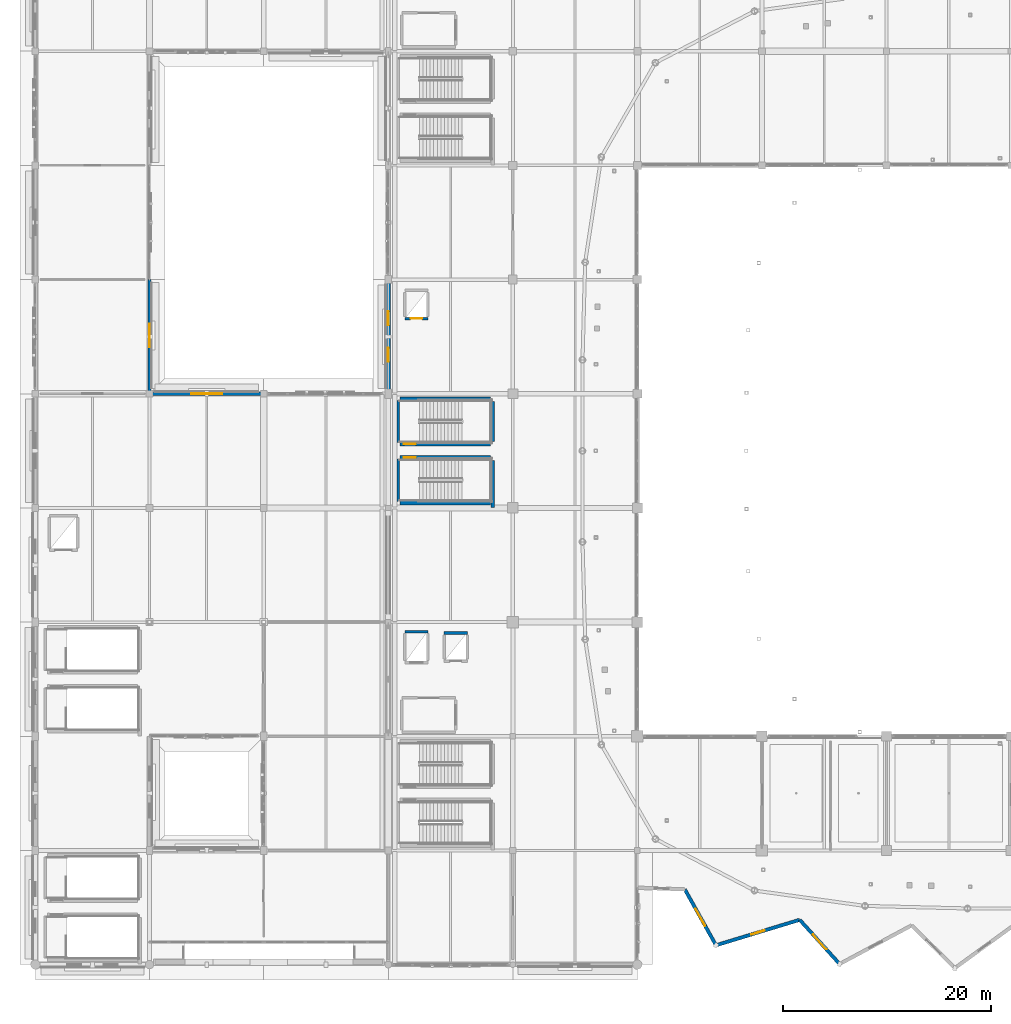
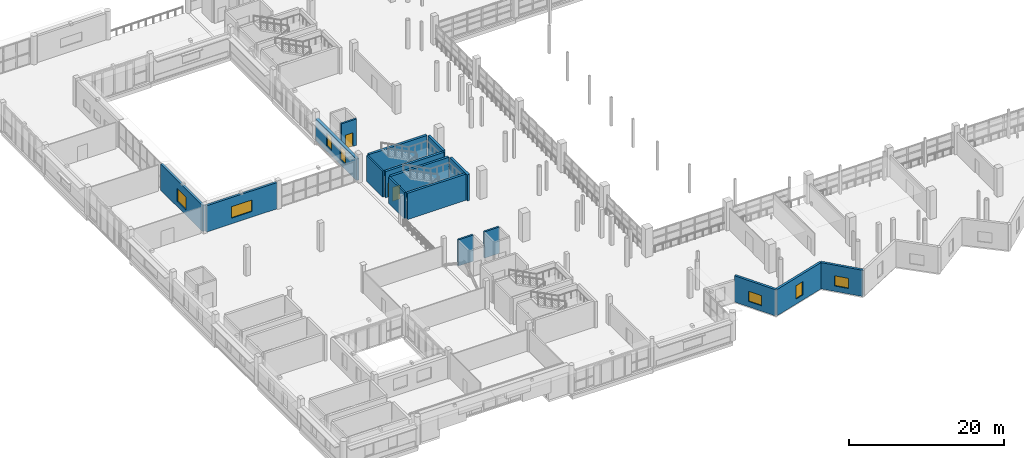
# One storey, part 81 of 118: 17 walls, 7 windows, 3 doors, 10 openings.
"""IFC4 building model written with IfcOpenShell, lengths in metres."""

from ifc_helpers import new_model, si_unit, direction, frame, frame_2d, origin, place, context, subcontext, project, spatial, rectangle, extrude, material, layer, layer_set, type_object, element, fill, save


model = new_model("IFC4")

# Units and contexts
model_context = context("Model", 3, precision=1e-05, world=origin(), true_north=direction((0.0, 1.0)))
body_context = subcontext(model_context, "Body", "Model", "MODEL_VIEW")
ifc_project = project(units=[si_unit("LENGTHUNIT", "METRE"), si_unit("AREAUNIT", "SQUARE_METRE"), si_unit("VOLUMEUNIT", "CUBIC_METRE"), si_unit("PLANEANGLEUNIT", "RADIAN"), si_unit("MASSUNIT", "GRAM", prefix="KILO")], contexts=[model_context])

# Site, building, storey
site_placement = place(None, origin())
site = spatial("IfcSite", under=ifc_project, at=site_placement, CompositionType="ELEMENT")
building_placement = place(site_placement, origin())
building = spatial("IfcBuilding", under=site, at=building_placement, Name="Luwafu Chhajja Arena", CompositionType="ELEMENT")
storey_placement = place(building_placement, frame((0.0, 0.0, 10.199951171875)))
storey = spatial("IfcBuildingStorey", under=building, at=storey_placement, Name="L02", CompositionType="ELEMENT", Elevation=10.199951171875)

# Walls
ifc_material_1 = material(Name="Concrete C35/45", Category="concrete")
ifc_layer_1 = layer(ifc_material_1, 0.260009765625, Name="Concrete C35/45")
ifc_layer_set_1 = layer_set([ifc_layer_1], Name="Concrete C35/45")
wall_type_1 = type_object("IfcWallType", Name="Lift and Riser Shaft Wall 260", PredefinedType="SOLIDWALL", material=ifc_layer_set_1)
wall_1_placement = place(storey_placement, frame((35.590087890625, 32.0849609375, 0.0), z_axis=(0.0, 0.0, 1.0), x_axis=(1.0, 0.0, 0.0)))
element("IfcWall", 1, at=wall_1_placement, inside=storey, type_object=wall_type_1, Name="L02 Lift LF-01 Shaft Wall N", PredefinedType="SOLIDWALL", context=body_context, shape_type="SweptSolid", body=[
    extrude(rectangle(XDim=2.219970703125, YDim=0.260009765625, at=frame_2d((1.10986328125, 0.0))), origin(), (0.0, 0.0, 1.0), 4.14013671875),
])
wall_2_placement = place(storey_placement, frame((39.389892578125, 31.9599609375, 0.0), z_axis=(0.0, 0.0, 1.0), x_axis=(1.0, 0.0, 0.0)))
element("IfcWall", 2, at=wall_2_placement, inside=storey, type_object=wall_type_1, Name="L02 Lift LF-05 Shaft Wall N", PredefinedType="SOLIDWALL", context=body_context, shape_type="SweptSolid", body=[
    extrude(rectangle(XDim=2.22021484375, YDim=0.260009765625, at=frame_2d((1.110107421875, 0.0))), origin(), (0.0, 0.0, 1.0), 4.14013671875),
])

# Wall, opening, door
wall_3_placement = place(storey_placement, frame((35.590087890625, 62.239990234375, 0.0), z_axis=(0.0, 0.0, 1.0), x_axis=(1.0, 0.0, 0.0)))
wall_3 = element("IfcWall", 3, at=wall_3_placement, inside=storey, type_object=wall_type_1, Name="L02 Lift LF-09 Shaft Wall S", PredefinedType="SOLIDWALL", context=body_context, shape_type="SweptSolid", body=[
    extrude(rectangle(XDim=2.219970703125, YDim=0.260009765625, at=frame_2d((1.10986328125, 0.0))), origin(), (0.0, 0.0, 1.0), 4.14013671875),
])
opening_1_placement = place(wall_3_placement, frame((0.56005859375, 0.0, 0.0)))
opening_1 = element("IfcOpeningElement", 4, at=opening_1_placement, cuts=wall_3, Name="Opening LD-01", PredefinedType="OPENING", context=body_context, shape_type="SweptSolid", body=[
    extrude(rectangle(XDim=1.10009765625, YDim=2.14990234375, at=frame_2d((0.550048828125, 1.074951171875))), frame((0.0, 0.139892578125, 0.0), z_axis=(0.0, -1.0, 0.0), x_axis=(1.0, 0.0, 0.0)), (0.0, 0.0, 1.0), 0.280029296875),
])
ifc_material_2 = material(Name="Brushed stainless steel sliding leaves", Category="steel")
door_type_1 = type_object("IfcDoorType", Name="LD-01", OperationType="SLIDING_TO_LEFT", PredefinedType="DOOR", material=ifc_material_2)
door_1_placement = place(opening_1_placement, origin())
door_1 = element("IfcDoor", 5, at=door_1_placement, inside=storey, type_object=door_type_1, Name="L02 Lift LF-09 Landing Door L02-LD09", OperationType="SLIDING_TO_LEFT", OverallHeight=2.14990234375, OverallWidth=1.10009765625, PredefinedType="DOOR", context=body_context, shape_type="SweptSolid", body=[
    extrude(rectangle(XDim=1.10009765625, YDim=2.14990234375, at=frame_2d((0.550048828125, 1.074951171875))), frame((0.0, 0.02490234375, 0.0), z_axis=(0.0, -1.0, 0.0), x_axis=(1.0, 0.0, 0.0)), (0.0, 0.0, 1.0), 0.050048828125),
])
fill(opening_1, door_1)

# Wall, opening, window
ifc_material_3 = material(Name="Precast concrete C40/50", Category="concrete")
ifc_layer_2 = layer(ifc_material_3, 0.340087890625, Name="Precast concrete C40/50")
ifc_layer_set_2 = layer_set([ifc_layer_2], Name="Precast concrete C40/50")
wall_type_2 = type_object("IfcWallType", Name="Pleated Bowl V-Fold Wall 340", PredefinedType="USERDEFINED", material=ifc_layer_set_2)
wall_4_placement = place(storey_placement, frame((62.57421875, 7.23681640625, 0.0), z_axis=(0.0, 0.0, 1.0), x_axis=(0.487306352228, -0.87323108, 0.0)))
wall_4 = element("IfcWall", 6, at=wall_4_placement, inside=storey, type_object=wall_type_2, Name="L02 Pleated Bowl V-Fold Wall 42", ObjectType="PLEATED FACADE WALL", PredefinedType="USERDEFINED", context=body_context, shape_type="SweptSolid", body=[
    extrude(rectangle(XDim=6.15283203125, YDim=0.340087890625, at=frame_2d((3.076416015625, 0.0))), origin(), (0.0, 0.0, 1.0), 4.135009765625),
])
opening_2_placement = place(wall_4_placement, frame((2.12646484375, 0.0, 0.85009765625)))
opening_2 = element("IfcOpeningElement", 7, at=opening_2_placement, cuts=wall_4, Name="Opening WN-15", PredefinedType="OPENING", context=body_context, shape_type="SweptSolid", body=[
    extrude(rectangle(XDim=1.89990234375, YDim=1.60009765625, at=frame_2d((0.949951171875, 0.800048828125))), frame((0.0, 0.179931640625, 0.0), z_axis=(0.0, -1.0, 0.0), x_axis=(1.0, 0.0, 0.0)), (0.0, 0.0, 1.0), 0.360107421875),
])
ifc_material_4 = material(Name="Solar-control laminated glass", Category="glass")
window_type_1 = type_object("IfcWindowType", Name="Pleated Drum Inward-Fold Clerestory 1900x1600", PartitioningType="SINGLE_PANEL", PredefinedType="WINDOW", material=ifc_material_4)
window_1_placement = place(opening_2_placement, origin())
window_1 = element("IfcWindow", 8, at=window_1_placement, inside=storey, type_object=window_type_1, Name="L02 Pleated Bowl Lancet Window 020", OverallHeight=1.60009765625, OverallWidth=1.89990234375, PartitioningType="SINGLE_PANEL", PredefinedType="WINDOW", context=body_context, shape_type="SweptSolid", body=[
    extrude(rectangle(XDim=1.89990234375, YDim=1.60009765625, at=frame_2d((0.949951171875, 0.800048828125))), frame((0.0, 0.030029296875, 0.0), z_axis=(0.0, -1.0, 0.0), x_axis=(1.0, 0.0, 0.0)), (0.0, 0.0, 1.0), 0.06005859375),
])
fill(opening_2, window_1)

wall_5_placement = place(storey_placement, frame((65.572509765625, 1.864013671875, 0.0), z_axis=(0.0, 0.0, 1.0), x_axis=(0.956738407321, 0.290949514446, 0.0)))
wall_5 = element("IfcWall", 9, at=wall_5_placement, inside=storey, type_object=wall_type_2, Name="L02 Pleated Bowl V-Fold Wall 43", ObjectType="PLEATED FACADE WALL", PredefinedType="USERDEFINED", context=body_context, shape_type="SweptSolid", body=[
    extrude(rectangle(XDim=8.427978515625, YDim=0.340087890625, at=frame_2d((4.2138671875, 0.0))), origin(), (0.0, 0.0, 1.0), 4.135009765625),
])
opening_3_placement = place(wall_5_placement, frame((3.5390625, 0.0, 0.800048828125)))
opening_3 = element("IfcOpeningElement", 10, at=opening_3_placement, cuts=wall_5, Name="Opening WN-17", PredefinedType="OPENING", context=body_context, shape_type="SweptSolid", body=[
    extrude(rectangle(XDim=1.35009765625, YDim=2.10009765625, at=frame_2d((0.675048828125, 1.050048828125))), frame((0.0, 0.179931640625, 0.0), z_axis=(0.0, -1.0, 0.0), x_axis=(1.0, 0.0, 0.0)), (0.0, 0.0, 1.0), 0.360107421875),
])
window_type_2 = type_object("IfcWindowType", Name="Exhibition Mezzanine Lancet Window 1350x2100", PartitioningType="SINGLE_PANEL", PredefinedType="WINDOW", material=ifc_material_4)
window_2_placement = place(opening_3_placement, origin())
window_2 = element("IfcWindow", 11, at=window_2_placement, inside=storey, type_object=window_type_2, Name="L02 Pleated Bowl Lancet Window 021", OverallHeight=2.10009765625, OverallWidth=1.35009765625, PartitioningType="SINGLE_PANEL", PredefinedType="WINDOW", context=body_context, shape_type="SweptSolid", body=[
    extrude(rectangle(XDim=1.35009765625, YDim=2.10009765625, at=frame_2d((0.675048828125, 1.050048828125))), frame((0.0, 0.030029296875, 0.0), z_axis=(0.0, -1.0, 0.0), x_axis=(1.0, 0.0, 0.0)), (0.0, 0.0, 1.0), 0.06005859375),
])
fill(opening_3, window_2)

wall_6_placement = place(storey_placement, frame((73.635986328125, 4.316162109375, 0.0), z_axis=(0.0, 0.0, 1.0), x_axis=(0.670348131104, -0.742046752654, 0.0)))
wall_6 = element("IfcWall", 12, at=wall_6_placement, inside=storey, type_object=wall_type_2, Name="L02 Pleated Bowl V-Fold Wall 44", ObjectType="PLEATED FACADE WALL", PredefinedType="USERDEFINED", context=body_context, shape_type="SweptSolid", body=[
    extrude(rectangle(XDim=5.747802734375, YDim=0.340087890625, at=frame_2d((2.8740234375, 0.0))), origin(), (0.0, 0.0, 1.0), 4.135009765625),
])
opening_4_placement = place(wall_6_placement, frame((1.923828125, 0.0, 0.85009765625)))
opening_4 = element("IfcOpeningElement", 13, at=opening_4_placement, cuts=wall_6, Name="Opening WN-15", PredefinedType="OPENING", context=body_context, shape_type="SweptSolid", body=[
    extrude(rectangle(XDim=1.89990234375, YDim=1.60009765625, at=frame_2d((0.949951171875, 0.800048828125))), frame((0.0, 0.179931640625, 0.0), z_axis=(0.0, -1.0, 0.0), x_axis=(1.0, 0.0, 0.0)), (0.0, 0.0, 1.0), 0.360107421875),
])
window_3_placement = place(opening_4_placement, origin())
window_3 = element("IfcWindow", 14, at=window_3_placement, inside=storey, type_object=window_type_1, Name="L02 Pleated Bowl Lancet Window 022", OverallHeight=1.60009765625, OverallWidth=1.89990234375, PartitioningType="SINGLE_PANEL", PredefinedType="WINDOW", context=body_context, shape_type="SweptSolid", body=[
    extrude(rectangle(XDim=1.89990234375, YDim=1.60009765625, at=frame_2d((0.949951171875, 0.800048828125))), frame((0.0, 0.030029296875, 0.0), z_axis=(0.0, -1.0, 0.0), x_axis=(1.0, 0.0, 0.0)), (0.0, 0.0, 1.0), 0.06005859375),
])
fill(opening_4, window_3)

# Walls
ifc_material_5 = material(Name="Concrete C40/50", Category="concrete")
ifc_layer_3 = layer(ifc_material_5, 0.35009765625, Name="Concrete C40/50")
ifc_layer_set_3 = layer_set([ifc_layer_3], Name="Concrete C40/50")
wall_type_3 = type_object("IfcWallType", Name="RC Core Shear Wall 350", PredefinedType="SOLIDWALL", material=ifc_layer_set_3)
wall_7_placement = place(storey_placement, frame((44.072021484375, 44.050048828125, 0.0), z_axis=(0.0, 0.0, 1.0), x_axis=(0.0, 1.0, 0.0)))
element("IfcWall", 15, at=wall_7_placement, inside=storey, type_object=wall_type_3, Name="L02 Stair ST-09 Core Shear Wall E", PredefinedType="SOLIDWALL", context=body_context, shape_type="SweptSolid", body=[
    extrude(rectangle(XDim=4.5400390625, YDim=0.35009765625, at=frame_2d((2.27001953125, 0.0))), origin(), (0.0, 0.0, 1.0), 4.14013671875),
])
wall_8_placement = place(storey_placement, frame((35.14990234375, 44.47802734375, 0.0), z_axis=(0.0, 0.0, 1.0), x_axis=(1.0, 0.0, 0.0)))
element("IfcWall", 16, at=wall_8_placement, inside=storey, type_object=wall_type_3, Name="L02 Stair ST-09 Core Shear Wall S", PredefinedType="SOLIDWALL", context=body_context, shape_type="SweptSolid", body=[
    extrude(rectangle(XDim=8.7001953125, YDim=0.35009765625, at=frame_2d((4.35009765625, 0.0))), origin(), (0.0, 0.0, 1.0), 4.14013671875),
])

# Wall, opening, door
wall_9_placement = place(storey_placement, frame((35.14990234375, 48.862060546875, 0.0), z_axis=(0.0, 0.0, 1.0), x_axis=(1.0, 0.0, 0.0)))
wall_9 = element("IfcWall", 17, at=wall_9_placement, inside=storey, type_object=wall_type_3, Name="L02 Stair ST-09 Core Shear Wall N", PredefinedType="SOLIDWALL", context=body_context, shape_type="SweptSolid", body=[
    extrude(rectangle(XDim=8.7001953125, YDim=0.35009765625, at=frame_2d((4.35009765625, 0.0))), origin(), (0.0, 0.0, 1.0), 4.14013671875),
])
opening_5_placement = place(wall_9_placement, frame((0.35009765625, 0.0, 0.0)))
opening_5 = element("IfcOpeningElement", 18, at=opening_5_placement, cuts=wall_9, Name="Opening DR-06", PredefinedType="OPENING", context=body_context, shape_type="SweptSolid", body=[
    extrude(rectangle(XDim=1.14990234375, YDim=2.199951171875, at=frame_2d((0.574951171875, 1.10009765625))), frame((0.0, 0.18505859375, 0.0), z_axis=(0.0, -1.0, 0.0), x_axis=(1.0, 0.0, 0.0)), (0.0, 0.0, 1.0), 0.3701171875),
])
ifc_material_6 = material(Name="Fire-rated hardwood and steel core", Category="steel")
door_type_2 = type_object("IfcDoorType", Name="DR-06", OperationType="NOTDEFINED", PredefinedType="DOOR", material=ifc_material_6)
door_2_placement = place(opening_5_placement, origin())
door_2 = element("IfcDoor", 19, at=door_2_placement, inside=storey, type_object=door_type_2, Name="L02 Escape Stair ST-09 Fire Door L02-D017", OperationType="SINGLE_SWING_RIGHT", OverallHeight=2.199951171875, OverallWidth=1.14990234375, PredefinedType="DOOR", context=body_context, shape_type="SweptSolid", body=[
    extrude(rectangle(XDim=1.14990234375, YDim=2.199951171875, at=frame_2d((0.574951171875, 1.10009765625))), frame((0.0, 0.02490234375, 0.0), z_axis=(0.0, -1.0, 0.0), x_axis=(1.0, 0.0, 0.0)), (0.0, 0.0, 1.0), 0.050048828125),
])
fill(opening_5, door_2)

# Wall
wall_10_placement = place(storey_placement, frame((44.072021484375, 50.409912109375, 0.0), z_axis=(0.0, 0.0, 1.0), x_axis=(0.0, 1.0, 0.0)))
element("IfcWall", 20, at=wall_10_placement, inside=storey, type_object=wall_type_3, Name="L02 Stair ST-10 Core Shear Wall E", PredefinedType="SOLIDWALL", context=body_context, shape_type="SweptSolid", body=[
    extrude(rectangle(XDim=3.840087890625, YDim=0.35009765625, at=frame_2d((1.919921875, 0.0))), origin(), (0.0, 0.0, 1.0), 4.14013671875),
])

# Wall, opening, door
wall_11_placement = place(storey_placement, frame((35.14990234375, 50.137939453125, 0.0), z_axis=(0.0, 0.0, 1.0), x_axis=(1.0, 0.0, 0.0)))
wall_11 = element("IfcWall", 21, at=wall_11_placement, inside=storey, type_object=wall_type_3, Name="L02 Stair ST-10 Core Shear Wall S", PredefinedType="SOLIDWALL", context=body_context, shape_type="SweptSolid", body=[
    extrude(rectangle(XDim=8.7001953125, YDim=0.35009765625, at=frame_2d((4.35009765625, 0.0))), origin(), (0.0, 0.0, 1.0), 4.14013671875),
])
opening_6_placement = place(wall_11_placement, frame((0.35009765625, 0.0, 0.0)))
opening_6 = element("IfcOpeningElement", 22, at=opening_6_placement, cuts=wall_11, Name="Opening DR-06", PredefinedType="OPENING", context=body_context, shape_type="SweptSolid", body=[
    extrude(rectangle(XDim=1.14990234375, YDim=2.199951171875, at=frame_2d((0.574951171875, 1.10009765625))), frame((0.0, 0.18505859375, 0.0), z_axis=(0.0, -1.0, 0.0), x_axis=(1.0, 0.0, 0.0)), (0.0, 0.0, 1.0), 0.3701171875),
])
door_3_placement = place(opening_6_placement, origin())
door_3 = element("IfcDoor", 23, at=door_3_placement, inside=storey, type_object=door_type_2, Name="L02 Escape Stair ST-10 Fire Door L02-D018", OperationType="SINGLE_SWING_LEFT", OverallHeight=2.199951171875, OverallWidth=1.14990234375, PredefinedType="DOOR", context=body_context, shape_type="SweptSolid", body=[
    extrude(rectangle(XDim=1.14990234375, YDim=2.199951171875, at=frame_2d((0.574951171875, 1.10009765625))), frame((0.0, 0.02490234375, 0.0), z_axis=(0.0, -1.0, 0.0), x_axis=(1.0, 0.0, 0.0)), (0.0, 0.0, 1.0), 0.050048828125),
])
fill(opening_6, door_3)

# Wall
wall_12_placement = place(storey_placement, frame((35.14990234375, 54.52197265625, 0.0), z_axis=(0.0, 0.0, 1.0), x_axis=(1.0, 0.0, 0.0)))
element("IfcWall", 24, at=wall_12_placement, inside=storey, type_object=wall_type_3, Name="L02 Stair ST-10 Core Shear Wall N", PredefinedType="SOLIDWALL", context=body_context, shape_type="SweptSolid", body=[
    extrude(rectangle(XDim=8.7001953125, YDim=0.35009765625, at=frame_2d((4.35009765625, 0.0))), origin(), (0.0, 0.0, 1.0), 4.14013671875),
])

# Wall, openings, windows
ifc_layer_4 = layer(ifc_material_5, 0.39990234375, Name="Concrete C40/50")
ifc_layer_set_4 = layer_set([ifc_layer_4], Name="Concrete C40/50")
wall_type_4 = type_object("IfcWallType", Name="RC Core Shear Wall 400", PredefinedType="SOLIDWALL", material=ifc_layer_set_4)
wall_13_placement = place(storey_placement, frame((34.0, 55.219970703125, 0.0), z_axis=(0.0, 0.0, 1.0), x_axis=(0.0, 1.0, 0.0)))
wall_13 = element("IfcWall", 25, at=wall_13_placement, inside=storey, type_object=wall_type_4, Name="L02 Exterior Wall WEX-L02-160", PredefinedType="SOLIDWALL", context=body_context, shape_type="SweptSolid", body=[
    extrude(rectangle(XDim=10.56005859375, YDim=0.39990234375, at=frame_2d((5.280029296875, 0.0))), origin(), (0.0, 0.0, 1.0), 3.39013671875),
])
opening_7_placement = place(wall_13_placement, frame((2.844970703125, 0.0, 0.800048828125)))
opening_7 = element("IfcOpeningElement", 26, at=opening_7_placement, cuts=wall_13, Name="Opening WN-17", PredefinedType="OPENING", context=body_context, shape_type="SweptSolid", body=[
    extrude(rectangle(XDim=1.35009765625, YDim=2.10009765625, at=frame_2d((0.675048828125, 1.050048828125))), frame((0.0, 0.2099609375, 0.0), z_axis=(0.0, -1.0, 0.0), x_axis=(1.0, 0.0, 0.0)), (0.0, 0.0, 1.0), 0.419921875),
])
opening_8_placement = place(wall_13_placement, frame((6.364990234375, 0.0, 0.800048828125)))
opening_8 = element("IfcOpeningElement", 27, at=opening_8_placement, cuts=wall_13, Name="Opening WN-17", PredefinedType="OPENING", context=body_context, shape_type="SweptSolid", body=[
    extrude(rectangle(XDim=1.35009765625, YDim=2.10009765625, at=frame_2d((0.675048828125, 1.050048828125))), frame((0.0, 0.2099609375, 0.0), z_axis=(0.0, -1.0, 0.0), x_axis=(1.0, 0.0, 0.0)), (0.0, 0.0, 1.0), 0.419921875),
])
window_4_placement = place(opening_7_placement, origin())
window_4 = element("IfcWindow", 28, at=window_4_placement, inside=storey, type_object=window_type_2, Name="L02 Facade Window 094", OverallHeight=2.10009765625, OverallWidth=1.35009765625, PartitioningType="SINGLE_PANEL", PredefinedType="WINDOW", context=body_context, shape_type="SweptSolid", body=[
    extrude(rectangle(XDim=1.35009765625, YDim=2.10009765625, at=frame_2d((0.675048828125, 1.050048828125))), frame((0.0, 0.030029296875, 0.0), z_axis=(0.0, -1.0, 0.0), x_axis=(1.0, 0.0, 0.0)), (0.0, 0.0, 1.0), 0.06005859375),
])
fill(opening_7, window_4)
window_5_placement = place(opening_8_placement, origin())
window_5 = element("IfcWindow", 29, at=window_5_placement, inside=storey, type_object=window_type_2, Name="L02 Facade Window 095", OverallHeight=2.10009765625, OverallWidth=1.35009765625, PartitioningType="SINGLE_PANEL", PredefinedType="WINDOW", context=body_context, shape_type="SweptSolid", body=[
    extrude(rectangle(XDim=1.35009765625, YDim=2.10009765625, at=frame_2d((0.675048828125, 1.050048828125))), frame((0.0, 0.030029296875, 0.0), z_axis=(0.0, -1.0, 0.0), x_axis=(1.0, 0.0, 0.0)), (0.0, 0.0, 1.0), 0.06005859375),
])
fill(opening_8, window_5)

# Wall, opening, window
ifc_layer_5 = layer(ifc_material_1, 0.320068359375, Name="Concrete C35/45")
ifc_layer_set_5 = layer_set([ifc_layer_5], Name="Concrete C35/45")
wall_type_5 = type_object("IfcWallType", Name="Sandstone Backed Exterior Wall 320", PredefinedType="SOLIDWALL", material=ifc_layer_set_5)
wall_14_placement = place(storey_placement, frame((11.0, 55.219970703125, 0.0), z_axis=(0.0, 0.0, 1.0), x_axis=(0.0, 1.0, 0.0)))
wall_14 = element("IfcWall", 30, at=wall_14_placement, inside=storey, type_object=wall_type_5, Name="L02 Exterior Wall WEX-L02-152", PredefinedType="SOLIDWALL", context=body_context, shape_type="SweptSolid", body=[
    extrude(rectangle(XDim=10.780029296875, YDim=0.320068359375, at=frame_2d((5.39013671875, 0.0))), origin(), (0.0, 0.0, 1.0), 4.14501953125),
])
opening_9_placement = place(wall_14_placement, frame((4.239990234375, 0.0, 0.85009765625)))
opening_9 = element("IfcOpeningElement", 31, at=opening_9_placement, cuts=wall_14, Name="Opening WN-19", PredefinedType="OPENING", context=body_context, shape_type="SweptSolid", body=[
    extrude(rectangle(XDim=2.300048828125, YDim=2.050048828125, at=frame_2d((1.14990234375, 1.02490234375))), frame((0.0, 0.169921875, 0.0), z_axis=(0.0, -1.0, 0.0), x_axis=(1.0, 0.0, 0.0)), (0.0, 0.0, 1.0), 0.340087890625),
])
window_type_3 = type_object("IfcWindowType", Name="Supporters Lounge Arch-Head Window 2300x2050", PartitioningType="SINGLE_PANEL", PredefinedType="WINDOW", material=ifc_material_4)
window_6_placement = place(opening_9_placement, origin())
window_6 = element("IfcWindow", 32, at=window_6_placement, inside=storey, type_object=window_type_3, Name="L02 Facade Window 081", OverallHeight=2.050048828125, OverallWidth=2.300048828125, PartitioningType="SINGLE_PANEL", PredefinedType="WINDOW", context=body_context, shape_type="SweptSolid", body=[
    extrude(rectangle(XDim=2.300048828125, YDim=2.050048828125, at=frame_2d((1.14990234375, 1.02490234375))), frame((0.0, 0.030029296875, 0.0), z_axis=(0.0, -1.0, 0.0), x_axis=(1.0, 0.0, 0.0)), (0.0, 0.0, 1.0), 0.06005859375),
])
fill(opening_9, window_6)

wall_15_placement = place(storey_placement, frame((11.219970703125, 55.0, 0.0), z_axis=(0.0, 0.0, 1.0), x_axis=(1.0, 0.0, 0.0)))
wall_15 = element("IfcWall", 33, at=wall_15_placement, inside=storey, type_object=wall_type_5, Name="L02 Exterior Wall WEX-L02-157", PredefinedType="SOLIDWALL", context=body_context, shape_type="SweptSolid", body=[
    extrude(rectangle(XDim=10.56005859375, YDim=0.320068359375, at=frame_2d((5.280029296875, 0.0))), origin(), (0.0, 0.0, 1.0), 4.14501953125),
])
opening_10_placement = place(wall_15_placement, frame((3.780029296875, 0.0, 0.89990234375)))
opening_10 = element("IfcOpeningElement", 34, at=opening_10_placement, cuts=wall_15, Name="Opening WN-07", PredefinedType="OPENING", context=body_context, shape_type="SweptSolid", body=[
    extrude(rectangle(XDim=3.0, YDim=1.800048828125, at=frame_2d((1.5, 0.89990234375))), frame((0.0, 0.169921875, 0.0), z_axis=(0.0, -1.0, 0.0), x_axis=(1.0, 0.0, 0.0)), (0.0, 0.0, 1.0), 0.340087890625),
])
window_type_4 = type_object("IfcWindowType", Name="Hospitality Lounge Ribbon Window 3000x1800", PartitioningType="SINGLE_PANEL", PredefinedType="WINDOW", material=ifc_material_4)
window_7_placement = place(opening_10_placement, origin())
window_7 = element("IfcWindow", 35, at=window_7_placement, inside=storey, type_object=window_type_4, Name="L02 Facade Window 091", OverallHeight=1.800048828125, OverallWidth=3.0, PartitioningType="SINGLE_PANEL", PredefinedType="WINDOW", context=body_context, shape_type="SweptSolid", body=[
    extrude(rectangle(XDim=3.0, YDim=1.800048828125, at=frame_2d((1.5, 0.89990234375))), frame((0.0, 0.030029296875, 0.0), z_axis=(0.0, -1.0, 0.0), x_axis=(1.0, 0.0, 0.0)), (0.0, 0.0, 1.0), 0.06005859375),
])
fill(opening_10, window_7)

# Walls
ifc_layer_6 = layer(ifc_material_1, 0.22998046875, Name="Concrete C35/45")
ifc_layer_set_6 = layer_set([ifc_layer_6], Name="Concrete C35/45")
wall_type_6 = type_object("IfcWallType", Name="Stair Enclosure Wall 230", PredefinedType="SOLIDWALL", material=ifc_layer_set_6)
for number, where, z_axis, x_axis, name in (
    (36, (34.9599609375, 44.6298828125, 0.0), (0.0, 0.0, 1.0), (0.0, 1.0, 0.0), "L02 Stair ST-09 Enclosure Wall W"),
    (37, (34.9599609375, 50.2900390625, 0.0), (0.0, 0.0, 1.0), (0.0, 1.0, 0.0), "L02 Stair ST-10 Enclosure Wall W"),
):
    element("IfcWall", number, at=place(storey_placement, frame(where, z_axis=z_axis, x_axis=x_axis)), inside=storey, type_object=wall_type_6, Name=name, PredefinedType="SOLIDWALL", context=body_context, shape_type="SweptSolid", body=[
        extrude(rectangle(XDim=4.080078125, YDim=0.22998046875, at=frame_2d((2.0400390625, 0.0))), origin(), (0.0, 0.0, 1.0), 4.14013671875),
    ])

save(model, "model.ifc")
